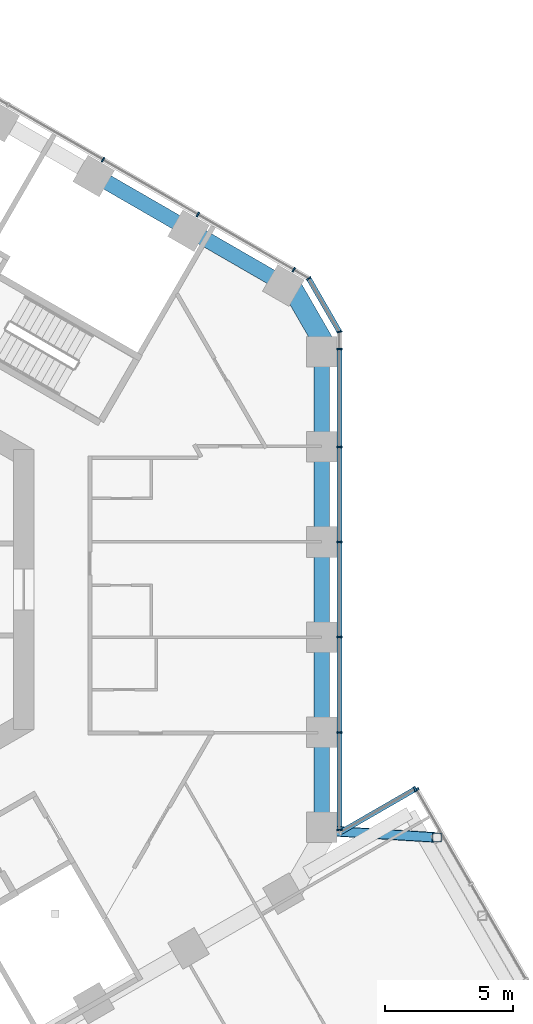
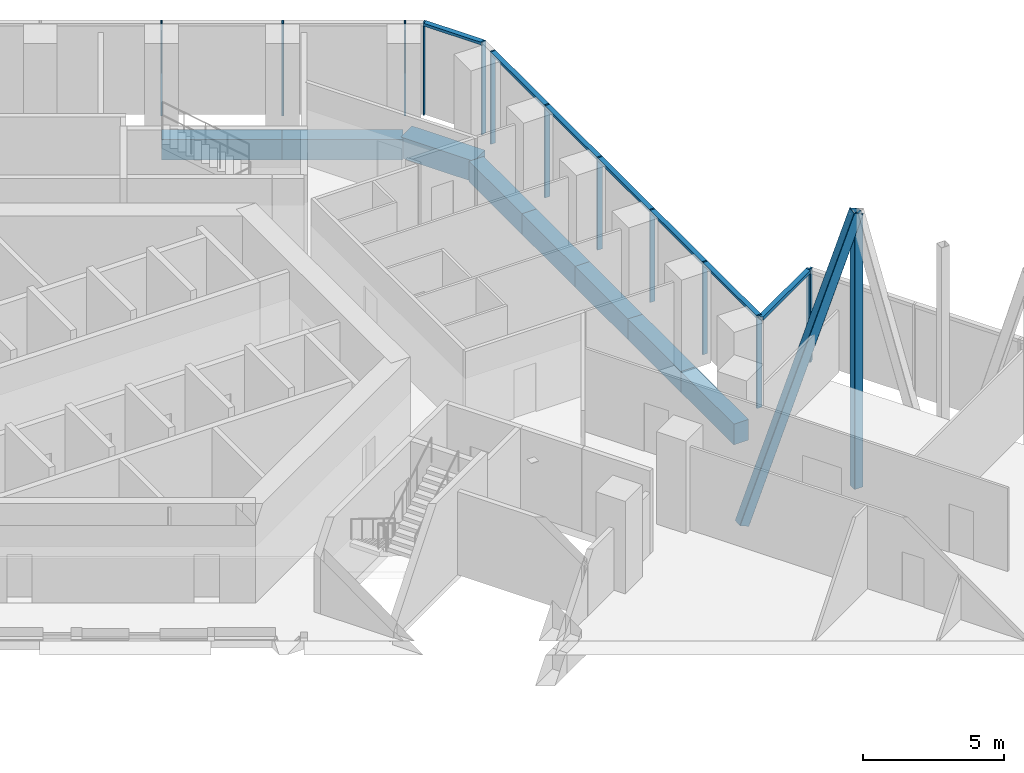
# One storey, part 8 of 27: 18 members, 8 beams, 5 elements without a shape of their own.
"""IFC4 building model written with IfcOpenShell, lengths in metres."""

from ifc_helpers import new_model, si_unit, direction, frame, origin, origin_2d, place, context, subcontext, project, spatial, rectangle, hollow_rectangle, extrude, material, layer, layer_set, material_profile, profile_set, type_object, element, aggregate, save


model = new_model("IFC4")

# Units and contexts
model_context = context("Model", 3, precision=1e-05, world=origin(), true_north=direction((0.0, 1.0)))
body_context = subcontext(model_context, "Body", "Model", "MODEL_VIEW")
ifc_project = project(units=[si_unit("LENGTHUNIT", "METRE"), si_unit("AREAUNIT", "SQUARE_METRE"), si_unit("VOLUMEUNIT", "CUBIC_METRE"), si_unit("PLANEANGLEUNIT", "RADIAN"), si_unit("MASSUNIT", "GRAM", prefix="KILO")], contexts=[model_context])

# Site, building, storey
site_placement = place(None, origin())
site = spatial("IfcSite", under=ifc_project, at=site_placement, CompositionType="ELEMENT")
building_placement = place(site_placement, origin())
building = spatial("IfcBuilding", under=site, at=building_placement, Name="Ayvan Gate Tower", CompositionType="ELEMENT")
storey_placement = place(building_placement, frame((0.0, 0.0, 70.300048828125)))
storey = spatial("IfcBuildingStorey", under=building, at=storey_placement, Name="L18", CompositionType="ELEMENT", Elevation=70.300048828125)

# Beam
ifc_material_1 = material(Name="Concrete C40/50", Category="concrete")
ifc_material_profile_1 = material_profile(ifc_material_1, rectangle(XDim=0.800048828125, YDim=0.89990234375, at=origin_2d()), Name="RC 800x900")
ifc_profile_set_1 = profile_set([ifc_material_profile_1], Name="Concrete C40/50")
beam_type_1 = type_object("IfcBeamType", Name="Corner spandrel beam RC 800x900 C40/50", PredefinedType="BEAM", material=ifc_profile_set_1)
beam_1_placement = place(storey_placement, frame((20.97509765625, 9.4921875, -0.85009765625), z_axis=(-0.50002537861, 0.866010750942, 0.0), x_axis=(-0.866010750942, -0.50002537861, 0.0)))
element("IfcBeam", 1, at=beam_1_placement, inside=storey, type_object=beam_type_1, Name="SB-L18-6", PredefinedType="BEAM", context=body_context, shape_type="SweptSolid", body=[
    extrude(rectangle(XDim=0.800048828125, YDim=0.89990234375, at=origin_2d()), origin(), (0.0, 0.0, 1.0), 2.999755859375),
])

# Members
ifc_material_2 = material(Name="Steel S460NH", Category="steel")
ifc_material_profile_2 = material_profile(ifc_material_2, hollow_rectangle(XDim=0.39990234375, YDim=0.39990234375, WallThickness=0.02001953125, InnerFilletRadius=0.02001953125, OuterFilletRadius=0.030029296875, at=origin_2d()), Name="RHS 400x400x20")
ifc_profile_set_2 = profile_set([ifc_material_profile_2], Name="Steel S460NH")
member_type_1 = type_object("IfcMemberType", Name="Sky bar truss brace B1 RHS 400x400x20", PredefinedType="BRACE", material=ifc_profile_set_2)
member_1_placement = place(storey_placement, frame((20.78466796875, -9.445556640625, -4.75), z_axis=(0.349976547057, -0.02137160384, 0.936514640067), x_axis=(0.060952276375, 0.99814068147, 0.0)))
element("IfcMember", 2, at=member_1_placement, inside=storey, type_object=member_type_1, Name="SBX1-A-D-1", PredefinedType="BRACE", context=body_context, shape_type="SweptSolid", body=[
    extrude(hollow_rectangle(XDim=0.39990234375, YDim=0.39990234375, WallThickness=0.02001953125, InnerFilletRadius=0.02001953125, OuterFilletRadius=0.030029296875, at=origin_2d()), origin(), (0.0, 0.0, 1.0), 12.920166015625),
])
ifc_material_profile_3 = material_profile(ifc_material_2, hollow_rectangle(XDim=0.35009765625, YDim=0.35009765625, WallThickness=0.01611328125, InnerFilletRadius=0.01611328125, OuterFilletRadius=0.02392578125, at=origin_2d()), Name="RHS 350x350x16")
ifc_profile_set_3 = profile_set([ifc_material_profile_3], Name="Steel S460NH")
member_type_2 = type_object("IfcMemberType", Name="Sky bar truss post B1 RHS 350x350x16", PredefinedType="POST", material=ifc_profile_set_3)
member_2_placement = place(storey_placement, frame((25.306396484375, -9.7216796875, -4.550048828125), z_axis=(0.0, 0.0, 1.0), x_axis=(1.0, 0.0, 0.0)))
element("IfcMember", 3, at=member_2_placement, inside=storey, type_object=member_type_2, Name="SBX1-A-P-1", PredefinedType="POST", context=body_context, shape_type="SweptSolid", body=[
    extrude(hollow_rectangle(XDim=0.35009765625, YDim=0.35009765625, WallThickness=0.01611328125, InnerFilletRadius=0.01611328125, OuterFilletRadius=0.02392578125, at=origin_2d()), origin(), (0.0, 0.0, 1.0), 11.699951171875),
])

# Beams
ifc_material_profile_4 = material_profile(ifc_material_1, rectangle(XDim=0.60009765625, YDim=0.89990234375, at=origin_2d()), Name="RC 600x900")
ifc_profile_set_4 = profile_set([ifc_material_profile_4], Name="Concrete C40/50")
beam_type_2 = type_object("IfcBeamType", Name="Spandrel beam RC 600x900 C40/50", PredefinedType="BEAM", material=ifc_profile_set_4)
beam_2_placement = place(storey_placement, frame((20.78466796875, -9.382080078125, -0.85009765625), z_axis=(0.0, 1.0, 0.0), x_axis=(-1.0, 0.0, 0.0)))
element("IfcBeam", 4, at=beam_2_placement, inside=storey, type_object=beam_type_2, Name="SB-L18-1", PredefinedType="BEAM", context=body_context, shape_type="SweptSolid", body=[
    extrude(rectangle(XDim=0.60009765625, YDim=0.89990234375, at=origin_2d()), origin(), (0.0, 0.0, 1.0), 3.7529296875),
])
beam_3_placement = place(storey_placement, frame((20.78466796875, -5.629150390625, -0.85009765625), z_axis=(0.0, 1.0, 0.0), x_axis=(-1.0, 0.0, 0.0)))
element("IfcBeam", 5, at=beam_3_placement, inside=storey, type_object=beam_type_2, Name="SB-L18-2", PredefinedType="BEAM", context=body_context, shape_type="SweptSolid", body=[
    extrude(rectangle(XDim=0.60009765625, YDim=0.89990234375, at=origin_2d()), origin(), (0.0, 0.0, 1.0), 3.752685546875),
])
beam_4_placement = place(storey_placement, frame((20.78466796875, -1.87646484375, -0.85009765625), z_axis=(0.0, 1.0, 0.0), x_axis=(-1.0, 0.0, 0.0)))
element("IfcBeam", 6, at=beam_4_placement, inside=storey, type_object=beam_type_2, Name="SB-L18-3", PredefinedType="BEAM", context=body_context, shape_type="SweptSolid", body=[
    extrude(rectangle(XDim=0.60009765625, YDim=0.89990234375, at=origin_2d()), origin(), (0.0, 0.0, 1.0), 3.7529296875),
])
beam_5_placement = place(storey_placement, frame((20.78466796875, 1.87646484375, -0.85009765625), z_axis=(0.0, 1.0, 0.0), x_axis=(-1.0, 0.0, 0.0)))
element("IfcBeam", 7, at=beam_5_placement, inside=storey, type_object=beam_type_2, Name="SB-L18-4", PredefinedType="BEAM", context=body_context, shape_type="SweptSolid", body=[
    extrude(rectangle(XDim=0.60009765625, YDim=0.89990234375, at=origin_2d()), origin(), (0.0, 0.0, 1.0), 3.752685546875),
])
beam_6_placement = place(storey_placement, frame((20.78466796875, 5.629150390625, -0.85009765625), z_axis=(0.0, 1.0, 0.0), x_axis=(-1.0, 0.0, 0.0)))
element("IfcBeam", 8, at=beam_6_placement, inside=storey, type_object=beam_type_2, Name="SB-L18-5", PredefinedType="BEAM", context=body_context, shape_type="SweptSolid", body=[
    extrude(rectangle(XDim=0.60009765625, YDim=0.89990234375, at=origin_2d()), origin(), (0.0, 0.0, 1.0), 3.7529296875),
])
beam_7_placement = place(storey_placement, frame((19.28466796875, 11.980224609375, -0.85009765625), z_axis=(-0.866039452998, 0.499975665259, 0.0), x_axis=(-0.499975665259, -0.866039452998, 0.0)))
element("IfcBeam", 9, at=beam_7_placement, inside=storey, type_object=beam_type_2, Name="SB-L18-7", PredefinedType="BEAM", context=body_context, shape_type="SweptSolid", body=[
    extrude(rectangle(XDim=0.60009765625, YDim=0.89990234375, at=origin_2d()), origin(), (0.0, 0.0, 1.0), 4.284423828125),
])
beam_8_placement = place(storey_placement, frame((15.57421875, 14.122314453125, -0.85009765625), z_axis=(-0.866000531106, 0.500043078269, 0.0), x_axis=(-0.500043078269, -0.866000531106, 0.0)))
element("IfcBeam", 10, at=beam_8_placement, inside=storey, type_object=beam_type_2, Name="SB-L18-8", PredefinedType="BEAM", context=body_context, shape_type="SweptSolid", body=[
    extrude(rectangle(XDim=0.60009765625, YDim=0.89990234375, at=origin_2d()), origin(), (0.0, 0.0, 1.0), 4.2841796875),
])

# Curtain wall, members
ifc_material_3 = material(Name="Bronze anodised aluminium", Category="aluminium")
ifc_layer_1 = layer(ifc_material_3, 0.199951171875)
ifc_layer_set_1 = layer_set([ifc_layer_1], Name="Bronze anodised aluminium")
curtain_wall_type_1 = type_object("IfcCurtainWallType", Name="Stick curtain wall CW-1", PredefinedType="NOTDEFINED", material=ifc_layer_set_1)
curtain_wall_1_placement = place(storey_placement, origin())
curtain_wall_1 = element("IfcCurtainWall", 11, at=curtain_wall_1_placement, inside=storey, type_object=curtain_wall_type_1, Name="Stick curtain wall CW-1 L18", PredefinedType="NOTDEFINED")
ifc_material_profile_5 = material_profile(ifc_material_3, rectangle(XDim=0.199951171875, YDim=0.06005859375, at=origin_2d()), Name="Stick curtain wall CW-1 mullion 200 x 60")
ifc_profile_set_5 = profile_set([ifc_material_profile_5], Name="Bronze anodised aluminium")
member_type_3 = type_object("IfcMemberType", Name="Stick curtain wall CW-1 mullion 200 x 60", PredefinedType="MULLION", material=ifc_profile_set_5)
member_3_placement = place(storey_placement, frame((21.484619140625, -9.42724609375, 0.0), z_axis=(0.0, 0.0, 1.0), x_axis=(1.0, 0.0, 0.0)))
member_3 = element("IfcMember", 12, at=member_3_placement, type_object=member_type_3, Name="CW-1 mullion 1", PredefinedType="MULLION", context=body_context, shape_type="SweptSolid", body=[
    extrude(rectangle(XDim=0.199951171875, YDim=0.06005859375, at=origin_2d()), origin(), (0.0, 0.0, 1.0), 4.0),
])
member_4_placement = place(storey_placement, frame((21.484619140625, -5.59521484375, 0.0), z_axis=(0.0, 0.0, 1.0), x_axis=(1.0, 0.0, 0.0)))
member_4 = element("IfcMember", 13, at=member_4_placement, type_object=member_type_3, Name="CW-1 mullion 2", PredefinedType="MULLION", context=body_context, shape_type="SweptSolid", body=[
    extrude(rectangle(XDim=0.199951171875, YDim=0.06005859375, at=origin_2d()), origin(), (0.0, 0.0, 1.0), 4.0),
])
member_5_placement = place(storey_placement, frame((21.484619140625, -1.865234375, 0.0), z_axis=(0.0, 0.0, 1.0), x_axis=(1.0, 0.0, 0.0)))
member_5 = element("IfcMember", 14, at=member_5_placement, type_object=member_type_3, Name="CW-1 mullion 3", PredefinedType="MULLION", context=body_context, shape_type="SweptSolid", body=[
    extrude(rectangle(XDim=0.199951171875, YDim=0.06005859375, at=origin_2d()), origin(), (0.0, 0.0, 1.0), 4.0),
])
member_6_placement = place(storey_placement, frame((21.484619140625, 1.86474609375, 0.0), z_axis=(0.0, 0.0, 1.0), x_axis=(1.0, 0.0, 0.0)))
member_6 = element("IfcMember", 15, at=member_6_placement, type_object=member_type_3, Name="CW-1 mullion 4", PredefinedType="MULLION", context=body_context, shape_type="SweptSolid", body=[
    extrude(rectangle(XDim=0.199951171875, YDim=0.06005859375, at=origin_2d()), origin(), (0.0, 0.0, 1.0), 4.0),
])
member_7_placement = place(storey_placement, frame((21.484619140625, 5.594970703125, 0.0), z_axis=(0.0, 0.0, 1.0), x_axis=(1.0, 0.0, 0.0)))
member_7 = element("IfcMember", 16, at=member_7_placement, type_object=member_type_3, Name="CW-1 mullion 5", PredefinedType="MULLION", context=body_context, shape_type="SweptSolid", body=[
    extrude(rectangle(XDim=0.199951171875, YDim=0.06005859375, at=origin_2d()), origin(), (0.0, 0.0, 1.0), 4.0),
])
member_8_placement = place(storey_placement, frame((21.484619140625, 9.42724609375, 0.0), z_axis=(0.0, 0.0, 1.0), x_axis=(1.0, 0.0, 0.0)))
member_8 = element("IfcMember", 17, at=member_8_placement, type_object=member_type_3, Name="CW-1 mullion 6", PredefinedType="MULLION", context=body_context, shape_type="SweptSolid", body=[
    extrude(rectangle(XDim=0.199951171875, YDim=0.06005859375, at=origin_2d()), origin(), (0.0, 0.0, 1.0), 4.0),
])

curtain_wall_2_placement = place(storey_placement, origin())
curtain_wall_2 = element("IfcCurtainWall", 18, at=curtain_wall_2_placement, inside=storey, type_object=curtain_wall_type_1, Name="Stick curtain wall CW-1 L18", PredefinedType="NOTDEFINED")
member_9_placement = place(storey_placement, frame((19.6884765625, 12.5380859375, 0.0), z_axis=(0.0, 0.0, 1.0), x_axis=(0.5, 0.866025403784, 0.0)))
member_9 = element("IfcMember", 19, at=member_9_placement, type_object=member_type_3, Name="CW-1 mullion 1", PredefinedType="MULLION", context=body_context, shape_type="SweptSolid", body=[
    extrude(rectangle(XDim=0.199951171875, YDim=0.06005859375, at=origin_2d()), origin(), (0.0, 0.0, 1.0), 4.0),
])
member_10_placement = place(storey_placement, frame((15.931640625, 14.707275390625, 0.0), z_axis=(0.0, 0.0, 1.0), x_axis=(0.5, 0.866025403784, 0.0)))
member_10 = element("IfcMember", 20, at=member_10_placement, type_object=member_type_3, Name="CW-1 mullion 2", PredefinedType="MULLION", context=body_context, shape_type="SweptSolid", body=[
    extrude(rectangle(XDim=0.199951171875, YDim=0.06005859375, at=origin_2d()), origin(), (0.0, 0.0, 1.0), 4.0),
])
member_11_placement = place(storey_placement, frame((12.211181640625, 16.855224609375, 0.0), z_axis=(0.0, 0.0, 1.0), x_axis=(0.5, 0.866025403784, 0.0)))
member_11 = element("IfcMember", 21, at=member_11_placement, type_object=member_type_3, Name="CW-1 mullion 3", PredefinedType="MULLION", context=body_context, shape_type="SweptSolid", body=[
    extrude(rectangle(XDim=0.199951171875, YDim=0.06005859375, at=origin_2d()), origin(), (0.0, 0.0, 1.0), 4.0),
])
aggregate(curtain_wall_2, [member_9, member_10, member_11])

# Member
ifc_material_profile_6 = material_profile(ifc_material_3, rectangle(XDim=0.199951171875, YDim=0.1201171875, at=origin_2d()), Name="Stick curtain wall CW-1 transom 200 x 120")
ifc_profile_set_6 = profile_set([ifc_material_profile_6], Name="Bronze anodised aluminium")
member_type_4 = type_object("IfcMemberType", Name="Stick curtain wall CW-1 transom 200 x 120", PredefinedType="USERDEFINED", material=ifc_profile_set_6)
member_12_placement = place(storey_placement, frame((21.484619140625, -9.42724609375, 3.93994140625), z_axis=(0.0, 1.0, 0.0), x_axis=(-1.0, 0.0, 0.0)))
member_12 = element("IfcMember", 22, at=member_12_placement, type_object=member_type_4, Name="CW-1 transom 1", ObjectType="TRANSOM", PredefinedType="USERDEFINED", context=body_context, shape_type="SweptSolid", body=[
    extrude(rectangle(XDim=0.199951171875, YDim=0.1201171875, at=origin_2d()), origin(), (0.0, 0.0, 1.0), 18.8544921875),
])

aggregate(curtain_wall_1, [member_3, member_4, member_5, member_6, member_7, member_8, member_12])

# Curtain wall, member
ifc_layer_2 = layer(ifc_material_3, 0.199951171875)
ifc_layer_set_2 = layer_set([ifc_layer_2], Name="Bronze anodised aluminium")
curtain_wall_type_2 = type_object("IfcCurtainWallType", Name="Stick curtain wall CW-4", PredefinedType="NOTDEFINED", material=ifc_layer_set_2)
curtain_wall_3_placement = place(storey_placement, origin())
curtain_wall_3 = element("IfcCurtainWall", 23, at=curtain_wall_3_placement, inside=storey, type_object=curtain_wall_type_2, Name="Stick curtain wall CW-4 L18", PredefinedType="NOTDEFINED")
ifc_material_profile_7 = material_profile(ifc_material_3, rectangle(XDim=0.199951171875, YDim=0.080078125, at=origin_2d()), Name="Stick curtain wall CW-4 mullion 200 x 80")
ifc_profile_set_7 = profile_set([ifc_material_profile_7], Name="Bronze anodised aluminium")
member_type_5 = type_object("IfcMemberType", Name="Stick curtain wall CW-4 mullion 200 x 80", PredefinedType="MULLION", material=ifc_profile_set_7)
member_13_placement = place(storey_placement, frame((24.503662109375, -7.84130859375, 0.0), z_axis=(0.0, 0.0, 1.0), x_axis=(0.866025403784, 0.5, 0.0)))
member_13 = element("IfcMember", 24, at=member_13_placement, type_object=member_type_5, Name="CW-4 mullion 5", PredefinedType="MULLION", context=body_context, shape_type="SweptSolid", body=[
    extrude(rectangle(XDim=0.199951171875, YDim=0.080078125, at=origin_2d()), origin(), (0.0, 0.0, 1.0), 4.0),
])
aggregate(curtain_wall_3, [member_13])

# Curtain wall, members
curtain_wall_4_placement = place(storey_placement, origin())
curtain_wall_4 = element("IfcCurtainWall", 25, at=curtain_wall_4_placement, inside=storey, type_object=curtain_wall_type_2, Name="Stick curtain wall CW-4 L18", PredefinedType="NOTDEFINED")
member_14_placement = place(storey_placement, frame((24.448974609375, -7.82666015625, 0.0), z_axis=(0.0, 0.0, 1.0), x_axis=(-0.5, 0.866025403784, 0.0)))
member_14 = element("IfcMember", 26, at=member_14_placement, type_object=member_type_5, Name="CW-4 mullion 1", PredefinedType="MULLION", context=body_context, shape_type="SweptSolid", body=[
    extrude(rectangle(XDim=0.199951171875, YDim=0.080078125, at=origin_2d()), origin(), (0.0, 0.0, 1.0), 4.0),
])
ifc_material_profile_8 = material_profile(ifc_material_3, rectangle(XDim=0.199951171875, YDim=0.139892578125, at=origin_2d()), Name="Stick curtain wall CW-4 transom 200 x 140")
ifc_profile_set_8 = profile_set([ifc_material_profile_8], Name="Bronze anodised aluminium")
member_type_6 = type_object("IfcMemberType", Name="Stick curtain wall CW-4 transom 200 x 140", PredefinedType="USERDEFINED", material=ifc_profile_set_8)
member_15_placement = place(storey_placement, frame((24.448974609375, -7.82666015625, 3.929931640625), z_axis=(-0.866019982719, -0.500009389444, 0.0), x_axis=(0.500009389444, -0.866019982719, 0.0)))
member_15 = element("IfcMember", 27, at=member_15_placement, type_object=member_type_6, Name="CW-4 transom 1", ObjectType="TRANSOM", PredefinedType="USERDEFINED", context=body_context, shape_type="SweptSolid", body=[
    extrude(rectangle(XDim=0.199951171875, YDim=0.139892578125, at=origin_2d()), origin(), (0.0, 0.0, 1.0), 3.41259765625),
])
aggregate(curtain_wall_4, [member_14, member_15])

ifc_layer_3 = layer(ifc_material_3, 0.199951171875)
ifc_layer_set_3 = layer_set([ifc_layer_3], Name="Bronze anodised aluminium")
curtain_wall_type_3 = type_object("IfcCurtainWallType", Name="Stick curtain wall CW-6", PredefinedType="NOTDEFINED", material=ifc_layer_set_3)
curtain_wall_5_placement = place(storey_placement, origin())
curtain_wall_5 = element("IfcCurtainWall", 28, at=curtain_wall_5_placement, inside=storey, type_object=curtain_wall_type_3, Name="Stick curtain wall CW-6 L18", PredefinedType="NOTDEFINED")
ifc_material_profile_9 = material_profile(ifc_material_3, rectangle(XDim=0.199951171875, YDim=0.050048828125, at=origin_2d()), Name="Stick curtain wall CW-6 mullion 200 x 50")
ifc_profile_set_9 = profile_set([ifc_material_profile_9], Name="Bronze anodised aluminium")
member_type_7 = type_object("IfcMemberType", Name="Stick curtain wall CW-6 mullion 200 x 50", PredefinedType="MULLION", material=ifc_profile_set_9)
member_16_placement = place(storey_placement, frame((21.484619140625, 10.107177734375, 0.0), z_axis=(0.0, 0.0, 1.0), x_axis=(0.965925826289, 0.258819045103, 0.0)))
member_16 = element("IfcMember", 29, at=member_16_placement, type_object=member_type_7, Name="CW-6 mullion 2", PredefinedType="MULLION", context=body_context, shape_type="SweptSolid", body=[
    extrude(rectangle(XDim=0.199951171875, YDim=0.050048828125, at=origin_2d()), origin(), (0.0, 0.0, 1.0), 4.0),
])
member_17_placement = place(storey_placement, frame((20.27734375, 12.1982421875, 0.0), z_axis=(0.0, 0.0, 1.0), x_axis=(0.707106781187, 0.707106781187, 0.0)))
member_17 = element("IfcMember", 30, at=member_17_placement, type_object=member_type_7, Name="CW-6 mullion 3", PredefinedType="MULLION", context=body_context, shape_type="SweptSolid", body=[
    extrude(rectangle(XDim=0.199951171875, YDim=0.050048828125, at=origin_2d()), origin(), (0.0, 0.0, 1.0), 4.0),
])
ifc_material_profile_10 = material_profile(ifc_material_3, rectangle(XDim=0.199951171875, YDim=0.1201171875, at=origin_2d()), Name="Stick curtain wall CW-6 transom 200 x 120")
ifc_profile_set_10 = profile_set([ifc_material_profile_10], Name="Bronze anodised aluminium")
member_type_8 = type_object("IfcMemberType", Name="Stick curtain wall CW-6 transom 200 x 120", PredefinedType="USERDEFINED", material=ifc_profile_set_10)
member_18_placement = place(storey_placement, frame((21.47216796875, 10.12890625, 3.93994140625), z_axis=(-0.500059108572, 0.865991274745, 0.0), x_axis=(-0.865991274745, -0.500059108572, 0.0)))
member_18 = element("IfcMember", 31, at=member_18_placement, type_object=member_type_8, Name="CW-6 transom 2", ObjectType="TRANSOM", PredefinedType="USERDEFINED", context=body_context, shape_type="SweptSolid", body=[
    extrude(rectangle(XDim=0.199951171875, YDim=0.1201171875, at=origin_2d()), origin(), (0.0, 0.0, 1.0), 2.364501953125),
])
aggregate(curtain_wall_5, [member_16, member_17, member_18])

save(model, "model.ifc")
